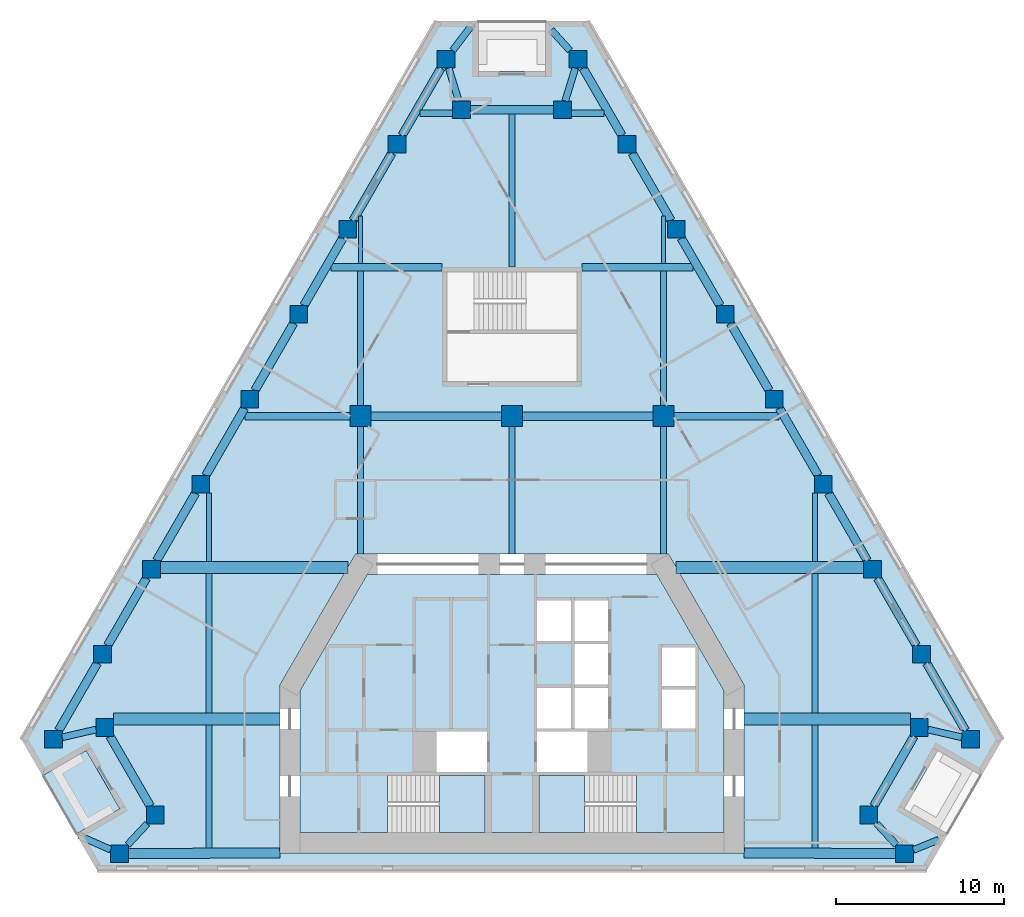
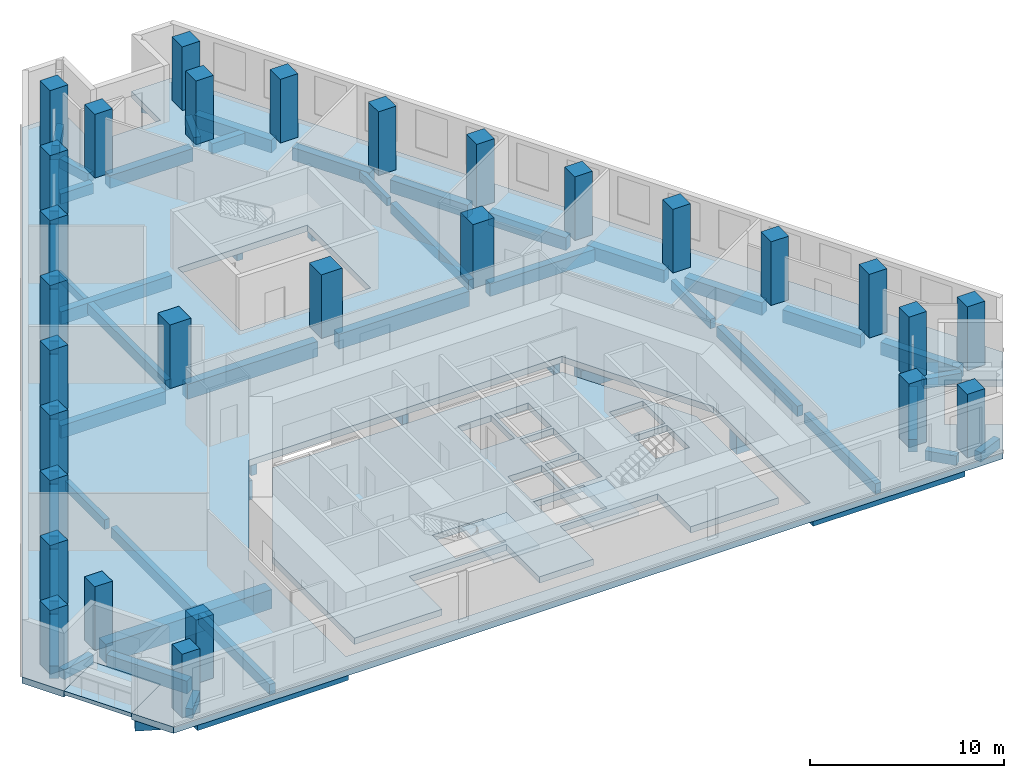
# One storey, part 1 of 9: 57 beams, 29 columns, 5 slabs, 2 elements without a shape of their own.
"""IFC4 building model written with IfcOpenShell, lengths in metres."""

from ifc_helpers import new_model, si_unit, direction, frame, origin, origin_2d, place, context, subcontext, project, spatial, polyline, rectangle, outline, extrude, material, layer, layer_set, material_profile, profile_set, type_object, element, aggregate, save


model = new_model("IFC4")

# Units and contexts
model_context = context("Model", 3, precision=1e-05, world=origin(), true_north=direction((0.0, 1.0)))
body_context = subcontext(model_context, "Body", "Model", "MODEL_VIEW")
ifc_project = project(units=[si_unit("LENGTHUNIT", "METRE"), si_unit("AREAUNIT", "SQUARE_METRE"), si_unit("VOLUMEUNIT", "CUBIC_METRE"), si_unit("PLANEANGLEUNIT", "RADIAN"), si_unit("MASSUNIT", "GRAM", prefix="KILO")], contexts=[model_context])

# Site, building, storey
site_placement = place(None, origin())
site = spatial("IfcSite", under=ifc_project, at=site_placement, CompositionType="ELEMENT")
building_placement = place(site_placement, origin())
building = spatial("IfcBuilding", under=site, at=building_placement, Name="Fogline Exchange Tower", CompositionType="ELEMENT")
storey_placement = place(building_placement, frame((0.0, 0.0, 142.89990234375)))
storey = spatial("IfcBuildingStorey", under=building, at=storey_placement, Name="L31", CompositionType="ELEMENT", Elevation=142.89990234375)

# Columns
ifc_material_1 = material(Name="Concrete C70", Category="concrete")
ifc_material_profile_1 = material_profile(ifc_material_1, rectangle(XDim=1.25, YDim=1.25, at=origin_2d()), Name="RC 1250x1250")
ifc_profile_set_1 = profile_set([ifc_material_profile_1], Name="Concrete C70")
column_type_1 = type_object("IfcColumnType", Name="C03", PredefinedType="COLUMN", material=ifc_profile_set_1)
for number, where, z_axis, x_axis, name in (
    (1, (-9.0, 27.0, 0.0), (0.0, 0.0, 1.0), (1.0, 0.0, 0.0), "IC--9-27"),
    (2, (0.0, 27.0, 0.0), (0.0, 0.0, 1.0), (1.0, 0.0, 0.0), "IC-0-27"),
    (3, (9.0, 27.0, 0.0), (0.0, 0.0, 1.0), (1.0, 0.0, 0.0), "IC-9-27"),
):
    element("IfcColumn", number, at=place(storey_placement, frame(where, z_axis=z_axis, x_axis=x_axis)), inside=storey, type_object=column_type_1, Name=name, PredefinedType="COLUMN", context=body_context, shape_type="SweptSolid", body=[
        extrude(rectangle(XDim=1.25, YDim=1.25, at=origin_2d()), origin(), (0.0, 0.0, 1.0), 4.0),
    ])
ifc_material_profile_2 = material_profile(ifc_material_1, rectangle(XDim=1.050048828125, YDim=1.050048828125, at=origin_2d()), Name="RC 1050x1050")
ifc_profile_set_2 = profile_set([ifc_material_profile_2], Name="Concrete C70")
column_type_2 = type_object("IfcColumnType", Name="C04", PredefinedType="COLUMN", material=ifc_profile_set_2)
for number, where, z_axis, x_axis, name in (
    (4, (-27.2490234375, 7.794189453125, 0.0), (0.0, 0.0, 1.0), (1.0, 0.0, 0.0), "SW-a"),
    (5, (-24.189697265625, 8.4951171875, 0.0), (0.0, 0.0, 1.0), (1.0, 0.0, 0.0), "SW-p4"),
    (6, (-21.189697265625, 3.299072265625, 0.0), (0.0, 0.0, 1.0), (1.0, 0.0, 0.0), "SW-p3"),
    (7, (-23.326416015625, 1.0, 0.0), (0.0, 0.0, 1.0), (1.0, 0.0, 0.0), "SW-b"),
    (8, (23.326416015625, 1.0, 0.0), (0.0, 0.0, 1.0), (1.0, 0.0, 0.0), "SE-a"),
    (9, (21.189697265625, 3.299072265625, 0.0), (0.0, 0.0, 1.0), (1.0, 0.0, 0.0), "SE-p4"),
    (10, (24.189697265625, 8.4951171875, 0.0), (0.0, 0.0, 1.0), (1.0, 0.0, 0.0), "SE-p3"),
    (11, (27.2490234375, 7.794189453125, 0.0), (0.0, 0.0, 1.0), (1.0, 0.0, 0.0), "SE-b"),
    (12, (24.333251953125, 12.844482421875, 0.0), (0.0, 0.0, 1.0), (1.0, 0.0, 0.0), "E1"),
    (13, (21.41748046875, 17.894775390625, 0.0), (0.0, 0.0, 1.0), (1.0, 0.0, 0.0), "E2"),
    (14, (18.501708984375, 22.945068359375, 0.0), (0.0, 0.0, 1.0), (1.0, 0.0, 0.0), "E3"),
    (15, (15.585693359375, 27.995361328125, 0.0), (0.0, 0.0, 1.0), (1.0, 0.0, 0.0), "E4"),
    (16, (12.669921875, 33.045654296875, 0.0), (0.0, 0.0, 1.0), (1.0, 0.0, 0.0), "E5"),
    (17, (9.754150390625, 38.095947265625, 0.0), (0.0, 0.0, 1.0), (1.0, 0.0, 0.0), "E6"),
    (18, (6.83837890625, 43.146240234375, 0.0), (0.0, 0.0, 1.0), (1.0, 0.0, 0.0), "E7"),
    (19, (3.922607421875, 48.19677734375, 0.0), (0.0, 0.0, 1.0), (1.0, 0.0, 0.0), "N-a"),
    (20, (3.0, 45.19677734375, 0.0), (0.0, 0.0, 1.0), (1.0, 0.0, 0.0), "N-p4"),
    (21, (-3.0, 45.19677734375, 0.0), (0.0, 0.0, 1.0), (1.0, 0.0, 0.0), "N-p3"),
    (22, (-3.922607421875, 48.19677734375, 0.0), (0.0, 0.0, 1.0), (1.0, 0.0, 0.0), "N-b"),
    (23, (-6.83837890625, 43.146240234375, 0.0), (0.0, 0.0, 1.0), (1.0, 0.0, 0.0), "W1"),
    (24, (-9.754150390625, 38.095947265625, 0.0), (0.0, 0.0, 1.0), (1.0, 0.0, 0.0), "W2"),
    (25, (-12.669921875, 33.045654296875, 0.0), (0.0, 0.0, 1.0), (1.0, 0.0, 0.0), "W3"),
    (26, (-15.585693359375, 27.995361328125, 0.0), (0.0, 0.0, 1.0), (1.0, 0.0, 0.0), "W4"),
    (27, (-18.501708984375, 22.945068359375, 0.0), (0.0, 0.0, 1.0), (1.0, 0.0, 0.0), "W5"),
    (28, (-21.41748046875, 17.894775390625, 0.0), (0.0, 0.0, 1.0), (1.0, 0.0, 0.0), "W6"),
    (29, (-24.333251953125, 12.844482421875, 0.0), (0.0, 0.0, 1.0), (1.0, 0.0, 0.0), "W7"),
):
    element("IfcColumn", number, at=place(storey_placement, frame(where, z_axis=z_axis, x_axis=x_axis)), inside=storey, type_object=column_type_2, Name=name, PredefinedType="COLUMN", context=body_context, shape_type="SweptSolid", body=[
        extrude(rectangle(XDim=1.050048828125, YDim=1.050048828125, at=origin_2d()), origin(), (0.0, 0.0, 1.0), 4.0),
    ])

# Beams
ifc_material_2 = material(Name="Concrete C40", Category="concrete")
ifc_material_profile_3 = material_profile(ifc_material_2, rectangle(XDim=0.300048828125, YDim=0.60009765625, at=origin_2d()), Name="RC 300x600")
ifc_profile_set_3 = profile_set([ifc_material_profile_3], Name="Concrete C40")
beam_type_1 = type_object("IfcBeamType", Name="B06", PredefinedType="BEAM", material=ifc_profile_set_3)
for number, where, z_axis, x_axis, name in (
    (30, (-18.0, 18.35009765625, -0.699951171875), (0.0, 1.0, 0.0), (-1.0, 0.0, 0.0), "SB003"),
    (31, (18.0, 18.35009765625, -0.699951171875), (0.0, 1.0, 0.0), (-1.0, 0.0, 0.0), "SB014"),
):
    element("IfcBeam", number, at=place(storey_placement, frame(where, z_axis=z_axis, x_axis=x_axis)), inside=storey, type_object=beam_type_1, Name=name, PredefinedType="BEAM", context=body_context, shape_type="SweptSolid", body=[
        extrude(rectangle(XDim=0.300048828125, YDim=0.60009765625, at=origin_2d()), origin(), (0.0, 0.0, 1.0), 4.070068359375),
    ])
ifc_material_profile_4 = material_profile(ifc_material_2, rectangle(XDim=0.25, YDim=0.5, at=origin_2d()), Name="RC 250x500")
ifc_profile_set_4 = profile_set([ifc_material_profile_4], Name="Concrete C40")
beam_type_2 = type_object("IfcBeamType", Name="B08", PredefinedType="BEAM", material=ifc_profile_set_4)
for number, where, z_axis, x_axis, name in (
    (32, (-9.0, 36.08203125, -0.64990234375), (0.0, 1.0, 0.0), (-1.0, 0.0, 0.0), "SB006"),
    (33, (9.0, 36.08203125, -0.64990234375), (0.0, 1.0, 0.0), (-1.0, 0.0, 0.0), "SB011"),
):
    element("IfcBeam", number, at=place(storey_placement, frame(where, z_axis=z_axis, x_axis=x_axis)), inside=storey, type_object=beam_type_2, Name=name, PredefinedType="BEAM", context=body_context, shape_type="SweptSolid", body=[
        extrude(rectangle(XDim=0.25, YDim=0.5, at=origin_2d()), origin(), (0.0, 0.0, 1.0), 2.8203125),
    ])
ifc_material_profile_5 = material_profile(ifc_material_2, rectangle(XDim=0.60009765625, YDim=0.89990234375, at=origin_2d()), Name="RC 600x900")
ifc_profile_set_5 = profile_set([ifc_material_profile_5], Name="Concrete C40")
beam_type_3 = type_object("IfcBeamType", Name="B09", PredefinedType="BEAM", material=ifc_profile_set_5)
for number, where, z_axis, x_axis, name in (
    (34, (-22.801513671875, 1.0, -0.849853515625), (0.999984543136, 0.005559990001, 0.0), (-0.005559990001, 0.999984543136, 0.0), "RB004"),
    (35, (13.800048828125, 1.050048828125, -0.849853515625), (0.999984543136, -0.005559990001, 0.0), (0.005559990001, 0.999984543136, 0.0), "RB005"),
):
    element("IfcBeam", number, at=place(storey_placement, frame(where, z_axis=z_axis, x_axis=x_axis)), inside=storey, type_object=beam_type_3, Name=name, PredefinedType="BEAM", context=body_context, shape_type="SweptSolid", body=[
        extrude(rectangle(XDim=0.60009765625, YDim=0.89990234375, at=origin_2d()), origin(), (0.0, 0.0, 1.0), 9.001708984375),
    ])
ifc_material_profile_6 = material_profile(ifc_material_2, rectangle(XDim=0.5, YDim=0.800048828125, at=origin_2d()), Name="RC 500x800")
ifc_profile_set_6 = profile_set([ifc_material_profile_6], Name="Concrete C40")
beam_type_4 = type_object("IfcBeamType", Name="B10", PredefinedType="BEAM", material=ifc_profile_set_6)
for number, where, z_axis, x_axis, name in (
    (36, (-23.886474609375, 7.97021484375, -0.7998046875), (0.499994660107, -0.866028486751, 0.0), (0.866028486751, 0.499994660107, 0.0), "RB002"),
    (37, (21.49267578125, 3.823974609375, -0.7998046875), (0.499994660107, 0.866028486751, 0.0), (-0.866028486751, 0.499994660107, 0.0), "RB007"),
):
    element("IfcBeam", number, at=place(storey_placement, frame(where, z_axis=z_axis, x_axis=x_axis)), inside=storey, type_object=beam_type_4, Name=name, PredefinedType="BEAM", context=body_context, shape_type="SweptSolid", body=[
        extrude(rectangle(XDim=0.5, YDim=0.800048828125, at=origin_2d()), origin(), (0.0, 0.0, 1.0), 4.78759765625),
    ])
for number, where, z_axis, x_axis, name in (
    (38, (26.94580078125, 8.319091796875, -0.7998046875), (-0.499981705991, 0.866035965578, 0.0), (-0.866035965578, -0.499981705991, 0.0), "RB009"),
    (39, (24.030029296875, 13.369384765625, -0.7998046875), (-0.499981705991, 0.866035965578, 0.0), (-0.866035965578, -0.499981705991, 0.0), "RB010"),
):
    element("IfcBeam", number, at=place(storey_placement, frame(where, z_axis=z_axis, x_axis=x_axis)), inside=storey, type_object=beam_type_4, Name=name, PredefinedType="BEAM", context=body_context, shape_type="SweptSolid", body=[
        extrude(rectangle(XDim=0.5, YDim=0.800048828125, at=origin_2d()), origin(), (0.0, 0.0, 1.0), 4.619384765625),
    ])
for number, where, z_axis, x_axis, name in (
    (40, (21.1142578125, 18.419921875, -0.7998046875), (-0.500004591975, 0.86602275259, 0.0), (-0.86602275259, -0.500004591975, 0.0), "RB011"),
    (41, (18.198486328125, 23.47021484375, -0.7998046875), (-0.500004591975, 0.86602275259, 0.0), (-0.86602275259, -0.500004591975, 0.0), "RB012"),
    (42, (15.28271484375, 28.5205078125, -0.7998046875), (-0.500004591975, 0.86602275259, 0.0), (-0.86602275259, -0.500004591975, 0.0), "RB013"),
    (43, (12.366943359375, 33.57080078125, -0.7998046875), (-0.500004591975, 0.86602275259, 0.0), (-0.86602275259, -0.500004591975, 0.0), "RB014"),
    (44, (9.451171875, 38.62109375, -0.7998046875), (-0.500004591975, 0.86602275259, 0.0), (-0.86602275259, -0.500004591975, 0.0), "RB015"),
    (45, (6.535400390625, 43.67138671875, -0.7998046875), (-0.500004591975, 0.86602275259, 0.0), (-0.86602275259, -0.500004591975, 0.0), "RB016"),
):
    element("IfcBeam", number, at=place(storey_placement, frame(where, z_axis=z_axis, x_axis=x_axis)), inside=storey, type_object=beam_type_4, Name=name, PredefinedType="BEAM", context=body_context, shape_type="SweptSolid", body=[
        extrude(rectangle(XDim=0.5, YDim=0.800048828125, at=origin_2d()), origin(), (0.0, 0.0, 1.0), 4.619140625),
    ])
beam_1_placement = place(storey_placement, frame((2.47509765625, 45.19677734375, -0.7998046875), z_axis=(-1.0, 0.0, 0.0), x_axis=(0.0, -1.0, 0.0)))
element("IfcBeam", 46, at=beam_1_placement, inside=storey, type_object=beam_type_4, Name="RB018", PredefinedType="BEAM", context=body_context, shape_type="SweptSolid", body=[
    extrude(rectangle(XDim=0.5, YDim=0.800048828125, at=origin_2d()), origin(), (0.0, 0.0, 1.0), 4.9501953125),
])
for number, where, z_axis, x_axis, name in (
    (47, (-4.225830078125, 47.671630859375, -0.7998046875), (-0.500004591975, -0.86602275259, 0.0), (0.86602275259, -0.500004591975, 0.0), "RB020"),
    (48, (-7.1416015625, 42.621337890625, -0.7998046875), (-0.500004591975, -0.86602275259, 0.0), (0.86602275259, -0.500004591975, 0.0), "RB021"),
    (49, (-10.057373046875, 37.571044921875, -0.7998046875), (-0.500004591975, -0.86602275259, 0.0), (0.86602275259, -0.500004591975, 0.0), "RB022"),
    (50, (-12.97314453125, 32.520751953125, -0.7998046875), (-0.500004591975, -0.86602275259, 0.0), (0.86602275259, -0.500004591975, 0.0), "RB023"),
    (51, (-15.888916015625, 27.470458984375, -0.7998046875), (-0.500004591975, -0.86602275259, 0.0), (0.86602275259, -0.500004591975, 0.0), "RB024"),
    (52, (-18.8046875, 22.420166015625, -0.7998046875), (-0.500004591975, -0.86602275259, 0.0), (0.86602275259, -0.500004591975, 0.0), "RB025"),
):
    element("IfcBeam", number, at=place(storey_placement, frame(where, z_axis=z_axis, x_axis=x_axis)), inside=storey, type_object=beam_type_4, Name=name, PredefinedType="BEAM", context=body_context, shape_type="SweptSolid", body=[
        extrude(rectangle(XDim=0.5, YDim=0.800048828125, at=origin_2d()), origin(), (0.0, 0.0, 1.0), 4.619140625),
    ])
for number, where, z_axis, x_axis, name in (
    (53, (-21.720458984375, 17.369873046875, -0.7998046875), (-0.499981705991, -0.866035965578, 0.0), (0.866035965578, -0.499981705991, 0.0), "RB026"),
    (54, (-24.63623046875, 12.319580078125, -0.7998046875), (-0.499981705991, -0.866035965578, 0.0), (0.866035965578, -0.499981705991, 0.0), "RB027"),
):
    element("IfcBeam", number, at=place(storey_placement, frame(where, z_axis=z_axis, x_axis=x_axis)), inside=storey, type_object=beam_type_4, Name=name, PredefinedType="BEAM", context=body_context, shape_type="SweptSolid", body=[
        extrude(rectangle(XDim=0.5, YDim=0.800048828125, at=origin_2d()), origin(), (0.0, 0.0, 1.0), 4.619384765625),
    ])
ifc_material_profile_7 = material_profile(ifc_material_2, rectangle(XDim=0.39990234375, YDim=0.60009765625, at=origin_2d()), Name="RC 400x600")
ifc_profile_set_7 = profile_set([ifc_material_profile_7], Name="Concrete C40")
beam_type_5 = type_object("IfcBeamType", Name="B11", PredefinedType="BEAM", material=ifc_profile_set_7)
beam_2_placement = place(storey_placement, frame((-26.72412109375, 7.91455078125, -0.699951171875), z_axis=(0.974739301343, 0.223345683676, 0.0), x_axis=(-0.223345683676, 0.974739301343, 0.0)))
element("IfcBeam", 55, at=beam_2_placement, inside=storey, type_object=beam_type_5, Name="RB001", PredefinedType="BEAM", context=body_context, shape_type="SweptSolid", body=[
    extrude(rectangle(XDim=0.39990234375, YDim=0.60009765625, at=origin_2d()), origin(), (0.0, 0.0, 1.0), 2.0615234375),
])
for number, where, z_axis, x_axis, name in (
    (56, (-21.677490234375, 2.77392578125, -0.699951171875), (-0.680791505026, -0.732477253357, 0.0), (0.732477253357, -0.680791505026, 0.0), "RB003"),
    (57, (22.83837890625, 1.52490234375, -0.699951171875), (-0.680791505026, 0.732477253357, 0.0), (-0.732477253357, -0.680791505026, 0.0), "RB006"),
):
    element("IfcBeam", number, at=place(storey_placement, frame(where, z_axis=z_axis, x_axis=x_axis)), inside=storey, type_object=beam_type_5, Name=name, PredefinedType="BEAM", context=body_context, shape_type="SweptSolid", body=[
        extrude(rectangle(XDim=0.39990234375, YDim=0.60009765625, at=origin_2d()), origin(), (0.0, 0.0, 1.0), 1.705322265625),
    ])
beam_3_placement = place(storey_placement, frame((24.714599609375, 8.375, -0.699951171875), z_axis=(0.974739301343, -0.223345683676, 0.0), x_axis=(0.223345683676, 0.974739301343, 0.0)))
element("IfcBeam", 58, at=beam_3_placement, inside=storey, type_object=beam_type_5, Name="RB008", PredefinedType="BEAM", context=body_context, shape_type="SweptSolid", body=[
    extrude(rectangle(XDim=0.39990234375, YDim=0.60009765625, at=origin_2d()), origin(), (0.0, 0.0, 1.0), 2.0615234375),
])
for number, where, z_axis, x_axis, name in (
    (59, (3.76123046875, 47.671630859375, -0.699951171875), (-0.293917654764, -0.955830744545, 0.0), (0.955830744545, -0.293917654764, 0.0), "RB017"),
    (60, (-3.16162109375, 45.7216796875, -0.699951171875), (-0.293917654764, 0.955830744545, 0.0), (-0.955830744545, -0.293917654764, 0.0), "RB019"),
):
    element("IfcBeam", number, at=place(storey_placement, frame(where, z_axis=z_axis, x_axis=x_axis)), inside=storey, type_object=beam_type_5, Name=name, PredefinedType="BEAM", context=body_context, shape_type="SweptSolid", body=[
        extrude(rectangle(XDim=0.39990234375, YDim=0.60009765625, at=origin_2d()), origin(), (0.0, 0.0, 1.0), 2.0400390625),
    ])
beam_4_placement = place(storey_placement, frame((-3.52587890625, 48.7216796875, -0.699951171875), z_axis=(0.602796218761, 0.797895180238, 0.0), x_axis=(-0.797895180238, 0.602796218761, 0.0)))
element("IfcBeam", 61, at=beam_4_placement, inside=storey, type_object=beam_type_5, Name="SP028", PredefinedType="BEAM", context=body_context, shape_type="SweptSolid", body=[
    extrude(rectangle(XDim=0.39990234375, YDim=0.60009765625, at=origin_2d()), origin(), (0.0, 0.0, 1.0), 1.967041015625),
])
beam_5_placement = place(storey_placement, frame((3.446044921875, 48.7216796875, -0.699951171875), z_axis=(-0.672128040565, 0.740434937781, 0.0), x_axis=(-0.740434937781, -0.672128040565, 0.0)))
element("IfcBeam", 62, at=beam_5_placement, inside=storey, type_object=beam_type_5, Name="SP029", PredefinedType="BEAM", context=body_context, shape_type="SweptSolid", body=[
    extrude(rectangle(XDim=0.39990234375, YDim=0.60009765625, at=origin_2d()), origin(), (0.0, 0.0, 1.0), 1.6513671875),
])
beam_6_placement = place(storey_placement, frame((-23.851318359375, 1.234619140625, -0.699951171875), z_axis=(-0.91310964958, 0.407714076092, 0.0), x_axis=(-0.407714076092, -0.91310964958, 0.0)))
element("IfcBeam", 63, at=beam_6_placement, inside=storey, type_object=beam_type_5, Name="SP030", PredefinedType="BEAM", context=body_context, shape_type="SweptSolid", body=[
    extrude(rectangle(XDim=0.39990234375, YDim=0.60009765625, at=origin_2d()), origin(), (0.0, 0.0, 1.0), 2.069580078125),
])
beam_7_placement = place(storey_placement, frame((23.851318359375, 1.216064453125, -0.699951171875), z_axis=(0.924786898771, 0.380485468661, 0.0), x_axis=(-0.380485468661, 0.924786898771, 0.0)))
element("IfcBeam", 64, at=beam_7_placement, inside=storey, type_object=beam_type_5, Name="SP031", PredefinedType="BEAM", context=body_context, shape_type="SweptSolid", body=[
    extrude(rectangle(XDim=0.39990234375, YDim=0.60009765625, at=origin_2d()), origin(), (0.0, 0.0, 1.0), 1.6259765625),
])
ifc_material_profile_8 = material_profile(ifc_material_2, rectangle(XDim=0.39990234375, YDim=0.64990234375, at=origin_2d()), Name="RC 400x650")
ifc_profile_set_8 = profile_set([ifc_material_profile_8], Name="Concrete C40")
beam_type_6 = type_object("IfcBeamType", Name="B13", PredefinedType="BEAM", material=ifc_profile_set_8)
for number, where, z_axis, x_axis, name in (
    (65, (-5.4794921875, 45.0, -0.724853515625), (1.0, 0.0, 0.0), (0.0, 1.0, 0.0), "GB011"),
    (66, (3.52490234375, 45.0, -0.724853515625), (1.0, 0.0, 0.0), (0.0, 1.0, 0.0), "GB012"),
):
    element("IfcBeam", number, at=place(storey_placement, frame(where, z_axis=z_axis, x_axis=x_axis)), inside=storey, type_object=beam_type_6, Name=name, PredefinedType="BEAM", context=body_context, shape_type="SweptSolid", body=[
        extrude(rectangle(XDim=0.39990234375, YDim=0.64990234375, at=origin_2d()), origin(), (0.0, 0.0, 1.0), 1.95458984375),
    ])
ifc_material_profile_9 = material_profile(ifc_material_2, rectangle(XDim=0.5, YDim=0.949951171875, at=origin_2d()), Name="RC 500x950")
ifc_profile_set_9 = profile_set([ifc_material_profile_9], Name="Concrete C40")
beam_type_7 = type_object("IfcBeamType", Name="B14", PredefinedType="BEAM", material=ifc_profile_set_9)
for number, where, z_axis, x_axis, name in (
    (67, (-8.375, 27.0, -0.875), (1.0, 0.0, 0.0), (0.0, 1.0, 0.0), "GB006"),
    (68, (0.625, 27.0, -0.875), (1.0, 0.0, 0.0), (0.0, 1.0, 0.0), "GB007"),
):
    element("IfcBeam", number, at=place(storey_placement, frame(where, z_axis=z_axis, x_axis=x_axis)), inside=storey, type_object=beam_type_7, Name=name, PredefinedType="BEAM", context=body_context, shape_type="SweptSolid", body=[
        extrude(rectangle(XDim=0.5, YDim=0.949951171875, at=origin_2d()), origin(), (0.0, 0.0, 1.0), 7.75),
    ])
ifc_material_profile_10 = material_profile(ifc_material_2, rectangle(XDim=0.35009765625, YDim=0.64990234375, at=origin_2d()), Name="RC 350x650")
ifc_profile_set_10 = profile_set([ifc_material_profile_10], Name="Concrete C40")
beam_type_8 = type_object("IfcBeamType", Name="B16", PredefinedType="BEAM", material=ifc_profile_set_10)
beam_8_placement = place(storey_placement, frame((-18.0, 1.327880859375, -0.724853515625), z_axis=(0.0, 1.0, 0.0), x_axis=(-1.0, 0.0, 0.0)))
element("IfcBeam", 69, at=beam_8_placement, inside=storey, type_object=beam_type_8, Name="SB001", PredefinedType="BEAM", context=body_context, shape_type="SweptSolid", body=[
    extrude(rectangle(XDim=0.35009765625, YDim=0.64990234375, at=origin_2d()), origin(), (0.0, 0.0, 1.0), 7.322021484375),
])
beam_9_placement = place(storey_placement, frame((-18.0, 9.35009765625, -0.724853515625), z_axis=(0.0, 1.0, 0.0), x_axis=(-1.0, 0.0, 0.0)))
element("IfcBeam", 70, at=beam_9_placement, inside=storey, type_object=beam_type_8, Name="SB002", PredefinedType="BEAM", context=body_context, shape_type="SweptSolid", body=[
    extrude(rectangle(XDim=0.35009765625, YDim=0.64990234375, at=origin_2d()), origin(), (0.0, 0.0, 1.0), 8.2998046875),
])
beam_10_placement = place(storey_placement, frame((-9.0, 18.800048828125, -0.724853515625), z_axis=(0.0, 1.0, 0.0), x_axis=(-1.0, 0.0, 0.0)))
element("IfcBeam", 71, at=beam_10_placement, inside=storey, type_object=beam_type_8, Name="SB004", PredefinedType="BEAM", context=body_context, shape_type="SweptSolid", body=[
    extrude(rectangle(XDim=0.35009765625, YDim=0.64990234375, at=origin_2d()), origin(), (0.0, 0.0, 1.0), 7.574951171875),
])
beam_11_placement = place(storey_placement, frame((-9.0, 27.625, -0.724853515625), z_axis=(0.0, 1.0, 0.0), x_axis=(-1.0, 0.0, 0.0)))
element("IfcBeam", 72, at=beam_11_placement, inside=storey, type_object=beam_type_8, Name="SB005", PredefinedType="BEAM", context=body_context, shape_type="SweptSolid", body=[
    extrude(rectangle(XDim=0.35009765625, YDim=0.64990234375, at=origin_2d()), origin(), (0.0, 0.0, 1.0), 8.007080078125),
])
beam_12_placement = place(storey_placement, frame((0.0, 18.800048828125, -0.724853515625), z_axis=(0.0, 1.0, 0.0), x_axis=(-1.0, 0.0, 0.0)))
element("IfcBeam", 73, at=beam_12_placement, inside=storey, type_object=beam_type_8, Name="SB007", PredefinedType="BEAM", context=body_context, shape_type="SweptSolid", body=[
    extrude(rectangle(XDim=0.35009765625, YDim=0.64990234375, at=origin_2d()), origin(), (0.0, 0.0, 1.0), 7.574951171875),
])
beam_13_placement = place(storey_placement, frame((0.0, 35.85693359375, -0.724853515625), z_axis=(0.0, 1.0, 0.0), x_axis=(-1.0, 0.0, 0.0)))
element("IfcBeam", 74, at=beam_13_placement, inside=storey, type_object=beam_type_8, Name="SB008", PredefinedType="BEAM", context=body_context, shape_type="SweptSolid", body=[
    extrude(rectangle(XDim=0.35009765625, YDim=0.64990234375, at=origin_2d()), origin(), (0.0, 0.0, 1.0), 9.08984375),
])
beam_14_placement = place(storey_placement, frame((9.0, 18.800048828125, -0.724853515625), z_axis=(0.0, 1.0, 0.0), x_axis=(-1.0, 0.0, 0.0)))
element("IfcBeam", 75, at=beam_14_placement, inside=storey, type_object=beam_type_8, Name="SB009", PredefinedType="BEAM", context=body_context, shape_type="SweptSolid", body=[
    extrude(rectangle(XDim=0.35009765625, YDim=0.64990234375, at=origin_2d()), origin(), (0.0, 0.0, 1.0), 7.574951171875),
])
beam_15_placement = place(storey_placement, frame((9.0, 27.625, -0.724853515625), z_axis=(0.0, 1.0, 0.0), x_axis=(-1.0, 0.0, 0.0)))
element("IfcBeam", 76, at=beam_15_placement, inside=storey, type_object=beam_type_8, Name="SB010", PredefinedType="BEAM", context=body_context, shape_type="SweptSolid", body=[
    extrude(rectangle(XDim=0.35009765625, YDim=0.64990234375, at=origin_2d()), origin(), (0.0, 0.0, 1.0), 8.007080078125),
])
beam_16_placement = place(storey_placement, frame((18.0, 1.327880859375, -0.724853515625), z_axis=(0.0, 1.0, 0.0), x_axis=(-1.0, 0.0, 0.0)))
element("IfcBeam", 77, at=beam_16_placement, inside=storey, type_object=beam_type_8, Name="SB012", PredefinedType="BEAM", context=body_context, shape_type="SweptSolid", body=[
    extrude(rectangle(XDim=0.35009765625, YDim=0.64990234375, at=origin_2d()), origin(), (0.0, 0.0, 1.0), 7.322021484375),
])
beam_17_placement = place(storey_placement, frame((18.0, 9.35009765625, -0.724853515625), z_axis=(0.0, 1.0, 0.0), x_axis=(-1.0, 0.0, 0.0)))
element("IfcBeam", 78, at=beam_17_placement, inside=storey, type_object=beam_type_8, Name="SB013", PredefinedType="BEAM", context=body_context, shape_type="SweptSolid", body=[
    extrude(rectangle(XDim=0.35009765625, YDim=0.64990234375, at=origin_2d()), origin(), (0.0, 0.0, 1.0), 8.2998046875),
])
ifc_material_profile_11 = material_profile(ifc_material_2, rectangle(XDim=0.699951171875, YDim=1.199951171875, at=origin_2d()), Name="RC 700x1200")
ifc_profile_set_11 = profile_set([ifc_material_profile_11], Name="Concrete C40")
beam_type_9 = type_object("IfcBeamType", Name="B17", PredefinedType="BEAM", material=ifc_profile_set_11)
for number, where, z_axis, x_axis, name in (
    (79, (-23.66455078125, 9.0, -1.0), (1.0, 0.0, 0.0), (0.0, 1.0, 0.0), "GB001"),
    (80, (13.800048828125, 9.0, -1.0), (1.0, 0.0, 0.0), (0.0, 1.0, 0.0), "GB002"),
):
    element("IfcBeam", number, at=place(storey_placement, frame(where, z_axis=z_axis, x_axis=x_axis)), inside=storey, type_object=beam_type_9, Name=name, PredefinedType="BEAM", context=body_context, shape_type="SweptSolid", body=[
        extrude(rectangle(XDim=0.699951171875, YDim=1.199951171875, at=origin_2d()), origin(), (0.0, 0.0, 1.0), 9.864501953125),
    ])
for number, where, z_axis, x_axis, name in (
    (81, (-20.892333984375, 18.0, -1.0), (1.0, 0.0, 0.0), (0.0, 1.0, 0.0), "GB003"),
    (82, (9.758056640625, 18.0, -1.0), (1.0, 0.0, 0.0), (0.0, 1.0, 0.0), "GB004"),
):
    element("IfcBeam", number, at=place(storey_placement, frame(where, z_axis=z_axis, x_axis=x_axis)), inside=storey, type_object=beam_type_9, Name=name, PredefinedType="BEAM", context=body_context, shape_type="SweptSolid", body=[
        extrude(rectangle(XDim=0.699951171875, YDim=1.199951171875, at=origin_2d()), origin(), (0.0, 0.0, 1.0), 11.13427734375),
    ])
ifc_material_profile_12 = material_profile(ifc_material_2, rectangle(XDim=0.449951171875, YDim=0.800048828125, at=origin_2d()), Name="RC 450x800")
ifc_profile_set_12 = profile_set([ifc_material_profile_12], Name="Concrete C40")
beam_type_10 = type_object("IfcBeamType", Name="B18", PredefinedType="BEAM", material=ifc_profile_set_12)
for number, where, z_axis, x_axis, name in (
    (83, (-15.871826171875, 27.0, -0.7998046875), (1.0, 0.0, 0.0), (0.0, 1.0, 0.0), "GB005"),
    (84, (9.625, 27.0, -0.7998046875), (1.0, 0.0, 0.0), (0.0, 1.0, 0.0), "GB008"),
):
    element("IfcBeam", number, at=place(storey_placement, frame(where, z_axis=z_axis, x_axis=x_axis)), inside=storey, type_object=beam_type_10, Name=name, PredefinedType="BEAM", context=body_context, shape_type="SweptSolid", body=[
        extrude(rectangle(XDim=0.449951171875, YDim=0.800048828125, at=origin_2d()), origin(), (0.0, 0.0, 1.0), 6.246826171875),
    ])
for number, where, z_axis, x_axis, name in (
    (85, (-10.75830078125, 35.85693359375, -0.7998046875), (1.0, 0.0, 0.0), (0.0, 1.0, 0.0), "GB009"),
    (86, (4.14990234375, 35.85693359375, -0.7998046875), (1.0, 0.0, 0.0), (0.0, 1.0, 0.0), "GB010"),
):
    element("IfcBeam", number, at=place(storey_placement, frame(where, z_axis=z_axis, x_axis=x_axis)), inside=storey, type_object=beam_type_10, Name=name, PredefinedType="BEAM", context=body_context, shape_type="SweptSolid", body=[
        extrude(rectangle(XDim=0.449951171875, YDim=0.800048828125, at=origin_2d()), origin(), (0.0, 0.0, 1.0), 6.6083984375),
    ])

# Slabs
ifc_layer_1 = layer(ifc_material_2, 0.25)
ifc_layer_set_1 = layer_set([ifc_layer_1], Name="DK1")
slab_type_1 = type_object("IfcSlabType", Name="DK1", PredefinedType="FLOOR", material=ifc_layer_set_1)
slab_1_placement = place(storey_placement, frame((0.0, 0.0, -0.25)))
element("IfcSlab", 87, at=slab_1_placement, inside=storey, type_object=slab_type_1, Name="Balcony L31 SW", PredefinedType="FLOOR", context=body_context, shape_type="SweptSolid", body=[
    extrude(outline(polyline([(-27.8984375, 5.629150390625), (-25.8984375, 2.1650390625), (-23.30029296875, 3.6650390625), (-25.30029296875, 7.129150390625), (-27.8984375, 5.629150390625)])), origin(), (0.0, 0.0, 1.0), 0.25),
])
ifc_layer_2 = layer(ifc_material_2, 0.39990234375)
ifc_layer_set_2 = layer_set([ifc_layer_2], Name="S03")
slab_type_2 = type_object("IfcSlabType", Name="S03", PredefinedType="FLOOR", material=ifc_layer_set_2)
slab_2_placement = place(storey_placement, frame((0.0, 0.0, -0.39990234375)))
element("IfcSlab", 88, at=slab_2_placement, inside=storey, type_object=slab_type_2, Name="SLAB L31", PredefinedType="FLOOR", context=body_context, shape_type="SweptSolid", body=[
    extrude(outline(polyline([(-2.0, 50.48681640625), (-4.5, 50.48681640625), (-29.1484375, 7.794189453125), (-27.8984375, 5.629150390625), (-25.30029296875, 7.129150390625), (-23.30029296875, 3.6650390625), (-25.8984375, 2.1650390625), (-24.6484375, 0.0), (24.6484375, 0.0), (25.8984375, 2.1650390625), (23.30029296875, 3.6650390625), (25.30029296875, 7.129150390625), (27.8984375, 5.629150390625), (29.1484375, 7.794189453125), (4.5, 50.48681640625), (2.0, 50.48681640625), (2.0, 47.48681640625), (-2.0, 47.48681640625), (-2.0, 50.48681640625)]), holes=[polyline([(13.800048828125, 10.9990234375), (13.800048828125, 1.050048828125), (-13.800048828125, 1.050048828125), (-13.800048828125, 10.9990234375), (-9.296142578125, 18.800048828125), (9.296142578125, 18.800048828125), (13.800048828125, 10.9990234375)]), polyline([(3.85009765625, 35.556884765625), (3.85009765625, 29.056884765625), (-3.85009765625, 29.056884765625), (-3.85009765625, 35.556884765625), (3.85009765625, 35.556884765625)])]), origin(), (0.0, 0.0, 1.0), 0.39990234375),
])
slab_3_placement = place(storey_placement, frame((0.0, 0.0, -0.39990234375)))
element("IfcSlab", 89, at=slab_3_placement, inside=storey, type_object=slab_type_2, Name="Core floor slab", PredefinedType="FLOOR", context=body_context, shape_type="SweptSolid", body=[
    extrude(outline(polyline([(-12.60009765625, 2.25), (-12.60009765625, 10.677490234375), (-8.603271484375, 17.60009765625), (8.603271484375, 17.60009765625), (12.60009765625, 10.677490234375), (12.60009765625, 2.25), (7.389892578125, 2.25), (7.389892578125, 5.64990234375), (1.60009765625, 5.64990234375), (1.60009765625, 2.25), (-1.60009765625, 2.25), (-1.60009765625, 5.64990234375), (-7.389892578125, 5.64990234375), (-7.389892578125, 2.25), (-12.60009765625, 2.25)]), holes=[polyline([(-4.5, 8.25), (-4.5, 5.85009765625), (-1.5, 5.85009765625), (-1.5, 8.25), (-4.5, 8.25)]), polyline([(4.5, 8.25), (1.5, 8.25), (1.5, 5.85009765625), (4.5, 5.85009765625), (4.5, 8.25)]), polyline([(3.5, 10.85009765625), (1.5, 10.85009765625), (1.5, 8.449951171875), (3.5, 8.449951171875), (3.5, 10.85009765625)]), polyline([(1.5, 16.050048828125), (1.5, 13.64990234375), (3.5, 13.64990234375), (3.5, 16.050048828125), (1.5, 16.050048828125)]), polyline([(10.89990234375, 10.75), (8.89990234375, 10.75), (8.89990234375, 8.449951171875), (10.89990234375, 8.449951171875), (10.89990234375, 10.75)]), polyline([(5.699951171875, 10.85009765625), (3.699951171875, 10.85009765625), (3.699951171875, 8.449951171875), (5.699951171875, 8.449951171875), (5.699951171875, 10.85009765625)]), polyline([(8.89990234375, 13.25), (8.89990234375, 10.949951171875), (10.89990234375, 10.949951171875), (10.89990234375, 13.25), (8.89990234375, 13.25)]), polyline([(5.699951171875, 13.449951171875), (3.699951171875, 13.449951171875), (3.699951171875, 11.050048828125), (5.699951171875, 11.050048828125), (5.699951171875, 13.449951171875)]), polyline([(5.699951171875, 16.050048828125), (3.699951171875, 16.050048828125), (3.699951171875, 13.64990234375), (5.699951171875, 13.64990234375), (5.699951171875, 16.050048828125)])]), origin(), (0.0, 0.0, 1.0), 0.39990234375),
])

# Stair, slab
stair_type = type_object("IfcStairType", Name="STR24-1667", PredefinedType="HALF_TURN_STAIR", material=ifc_material_2)
stair_1_placement = place(storey_placement, origin())
stair_1 = element("IfcStair", 90, at=stair_1_placement, inside=storey, type_object=stair_type, Name="Stair ST1", PredefinedType="HALF_TURN_STAIR")
ifc_layer_3 = layer(ifc_material_2, 0.199951171875)
ifc_layer_set_3 = layer_set([ifc_layer_3], Name="SL200")
slab_type_3 = type_object("IfcSlabType", Name="SL200", PredefinedType="LANDING", material=ifc_layer_set_3)
slab_4_placement = place(storey_placement, frame((0.0, 0.0, 1.800048828125)))
slab_4 = element("IfcSlab", 91, at=slab_4_placement, type_object=slab_type_3, Name="ST1 landing 1", PredefinedType="LANDING", context=body_context, shape_type="SweptSolid", body=[
    extrude(outline(polyline([(-4.320068359375, 2.25), (-1.60009765625, 2.25), (-1.60009765625, 5.64990234375), (-4.320068359375, 5.64990234375), (-4.320068359375, 2.25)])), origin(), (0.0, 0.0, 1.0), 0.199951171875),
])
aggregate(stair_1, [slab_4])

stair_2_placement = place(storey_placement, origin())
stair_2 = element("IfcStair", 92, at=stair_2_placement, inside=storey, type_object=stair_type, Name="Stair ST2", PredefinedType="HALF_TURN_STAIR")
slab_5_placement = place(storey_placement, frame((0.0, 0.0, 1.800048828125)))
slab_5 = element("IfcSlab", 93, at=slab_5_placement, type_object=slab_type_3, Name="ST2 landing 1", PredefinedType="LANDING", context=body_context, shape_type="SweptSolid", body=[
    extrude(outline(polyline([(1.60009765625, 2.25), (4.320068359375, 2.25), (4.320068359375, 5.64990234375), (1.60009765625, 5.64990234375), (1.60009765625, 2.25)])), origin(), (0.0, 0.0, 1.0), 0.199951171875),
])
aggregate(stair_2, [slab_5])

save(model, "model.ifc")
